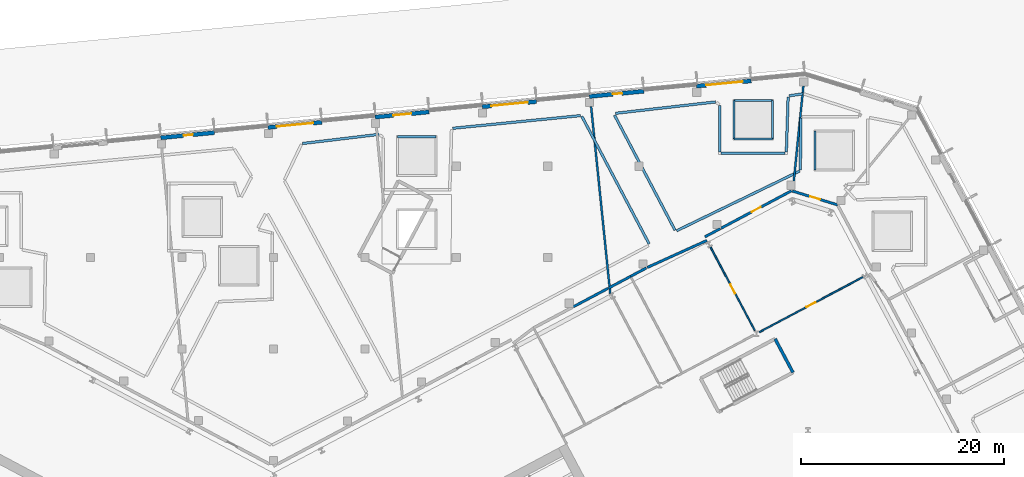
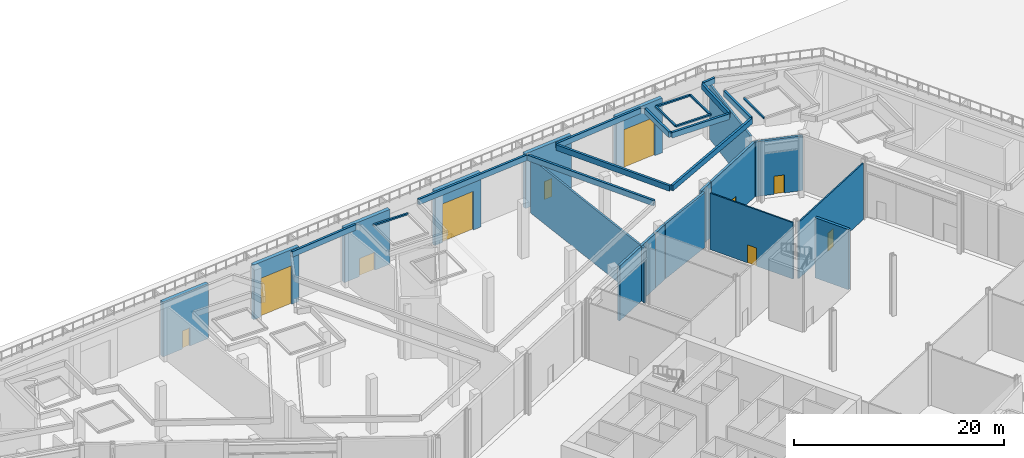
# One storey, part 25 of 57: 35 walls, 10 doors, 10 openings.
"""IFC4 building model written with IfcOpenShell, lengths in metres."""

from ifc_helpers import new_model, si_unit, direction, frame, frame_2d, origin, place, context, subcontext, project, spatial, rectangle, extrude, material, layer, layer_set, type_object, element, fill, save


model = new_model("IFC4")

# Units and contexts
model_context = context("Model", 3, precision=1e-05, world=origin(), true_north=direction((0.0, 1.0)))
body_context = subcontext(model_context, "Body", "Model", "MODEL_VIEW")
ifc_project = project(units=[si_unit("LENGTHUNIT", "METRE"), si_unit("AREAUNIT", "SQUARE_METRE"), si_unit("VOLUMEUNIT", "CUBIC_METRE"), si_unit("PLANEANGLEUNIT", "RADIAN"), si_unit("MASSUNIT", "GRAM", prefix="KILO")], contexts=[model_context])

# Site, building, storey
site_placement = place(None, origin())
site = spatial("IfcSite", under=ifc_project, at=site_placement, CompositionType="ELEMENT")
building_placement = place(site_placement, origin())
building = spatial("IfcBuilding", under=site, at=building_placement, Name="Cormorant Relay Tower", CompositionType="ELEMENT")
storey_placement = place(building_placement, origin())
storey = spatial("IfcBuildingStorey", under=building, at=storey_placement, Name="L00", CompositionType="ELEMENT", Elevation=0.0)

# Wall, opening, door
ifc_material_1 = material(Name="Concrete 40 MPa with granite cladding", Category="masonry")
ifc_layer_1 = layer(ifc_material_1, 0.39990234375)
ifc_layer_set_1 = layer_set([ifc_layer_1], Name="Base facade wall 400")
wall_type_1 = type_object("IfcWallType", Name="Base facade wall 400", PredefinedType="SOLIDWALL", material=ifc_layer_set_1)
wall_1_placement = place(storey_placement, frame((47.025146484375, 62.40087890625, 0.0), z_axis=(0.0, 0.0, 1.0), x_axis=(-0.995386045025, -0.095951140535, 0.0)))
wall_1 = element("IfcWall", 1, at=wall_1_placement, inside=storey, type_object=wall_type_1, Name="Base facade wall", PredefinedType="SOLIDWALL", context=body_context, shape_type="SweptSolid", body=[
    extrude(rectangle(XDim=5.4169921875, YDim=0.39990234375, at=frame_2d((2.70849609375, 0.0))), origin(), (0.0, 0.0, 1.0), 6.3701171875),
])
opening_1_placement = place(wall_1_placement, frame((0.854248046875, 0.0, 0.0)))
opening_1 = element("IfcOpeningElement", 2, at=opening_1_placement, cuts=wall_1, Name="Opening PD8-001", PredefinedType="OPENING", context=body_context, shape_type="SweptSolid", body=[
    extrude(rectangle(XDim=3.60009765625, YDim=4.5, at=frame_2d((1.800048828125, 2.25))), frame((0.0, 0.2099609375, 0.0), z_axis=(0.0, -1.0, 0.0), x_axis=(1.0, 0.0, 0.0)), (0.0, 0.0, 1.0), 0.419921875),
])
ifc_material_2 = material(Name="Galvanised steel roller shutter", Category="steel")
door_type_1 = type_object("IfcDoorType", Name="Door loading shutter 3600", OperationType="SLIDING_TO_LEFT", PredefinedType="DOOR", material=ifc_material_2)
door_1_placement = place(opening_1_placement, origin())
door_1 = element("IfcDoor", 3, at=door_1_placement, inside=storey, type_object=door_type_1, Name="Loading dock door", OperationType="SLIDING_TO_LEFT", OverallHeight=4.5, OverallWidth=3.60009765625, PredefinedType="DOOR", context=body_context, shape_type="SweptSolid", body=[
    extrude(rectangle(XDim=3.60009765625, YDim=4.5, at=frame_2d((1.800048828125, 2.25))), frame((0.0, 0.02490234375, 0.0), z_axis=(0.0, -1.0, 0.0), x_axis=(1.0, 0.0, 0.0)), (0.0, 0.0, 1.0), 0.050048828125),
])
fill(opening_1, door_1)

wall_2_placement = place(storey_placement, frame((36.45751953125, 61.382080078125, 0.0), z_axis=(0.0, 0.0, 1.0), x_axis=(-0.99538901021, -0.095920375068, 0.0)))
wall_2 = element("IfcWall", 4, at=wall_2_placement, inside=storey, type_object=wall_type_1, Name="Base facade wall", PredefinedType="SOLIDWALL", context=body_context, shape_type="SweptSolid", body=[
    extrude(rectangle(XDim=5.390869140625, YDim=0.39990234375, at=frame_2d((2.6953125, 0.0))), origin(), (0.0, 0.0, 1.0), 6.3701171875),
])
opening_2_placement = place(wall_2_placement, frame((2.154052734375, 0.0, 0.0)))
opening_2 = element("IfcOpeningElement", 5, at=opening_2_placement, cuts=wall_2, Name="Opening PD4-005", PredefinedType="OPENING", context=body_context, shape_type="SweptSolid", body=[
    extrude(rectangle(XDim=0.89990234375, YDim=2.10009765625, at=frame_2d((0.449951171875, 1.050048828125))), frame((0.0, 0.2099609375, 0.0), z_axis=(0.0, -1.0, 0.0), x_axis=(1.0, 0.0, 0.0)), (0.0, 0.0, 1.0), 0.419921875),
])
ifc_material_3 = material(Name="Steel door leaf", Category="steel")
door_type_2 = type_object("IfcDoorType", Name="Door service 900", OperationType="SINGLE_SWING_LEFT", PredefinedType="DOOR", material=ifc_material_3)
door_2_placement = place(opening_2_placement, origin())
door_2 = element("IfcDoor", 6, at=door_2_placement, inside=storey, type_object=door_type_2, Name="Service door", OperationType="SINGLE_SWING_RIGHT", OverallHeight=2.10009765625, OverallWidth=0.89990234375, PredefinedType="DOOR", context=body_context, shape_type="SweptSolid", body=[
    extrude(rectangle(XDim=0.89990234375, YDim=2.10009765625, at=frame_2d((0.449951171875, 1.050048828125))), frame((0.0, 0.02490234375, 0.0), z_axis=(0.0, -1.0, 0.0), x_axis=(1.0, 0.0, 0.0)), (0.0, 0.0, 1.0), 0.050048828125),
])
fill(opening_2, door_2)

wall_3_placement = place(storey_placement, frame((25.889892578125, 60.36376953125, 0.0), z_axis=(0.0, 0.0, 1.0), x_axis=(-0.995386401867, -0.095947438618, 0.0)))
wall_3 = element("IfcWall", 7, at=wall_3_placement, inside=storey, type_object=wall_type_1, Name="Base facade wall", PredefinedType="SOLIDWALL", context=body_context, shape_type="SweptSolid", body=[
    extrude(rectangle(XDim=5.36376953125, YDim=0.39990234375, at=frame_2d((2.681884765625, 0.0))), origin(), (0.0, 0.0, 1.0), 6.3701171875),
])
opening_3_placement = place(wall_3_placement, frame((0.854248046875, 0.0, 0.0)))
opening_3 = element("IfcOpeningElement", 8, at=opening_3_placement, cuts=wall_3, Name="Opening PD8-002", PredefinedType="OPENING", context=body_context, shape_type="SweptSolid", body=[
    extrude(rectangle(XDim=3.60009765625, YDim=4.5, at=frame_2d((1.800048828125, 2.25))), frame((0.0, 0.2099609375, 0.0), z_axis=(0.0, -1.0, 0.0), x_axis=(1.0, 0.0, 0.0)), (0.0, 0.0, 1.0), 0.419921875),
])
door_3_placement = place(opening_3_placement, frame((3.60009765625, 0.0, 0.0), z_axis=(0.0, 0.0, 1.0), x_axis=(-1.0, 0.0, 0.0)))
door_3 = element("IfcDoor", 9, at=door_3_placement, inside=storey, type_object=door_type_1, Name="Loading dock door", OperationType="SLIDING_TO_LEFT", OverallHeight=4.5, OverallWidth=3.60009765625, PredefinedType="DOOR", context=body_context, shape_type="SweptSolid", body=[
    extrude(rectangle(XDim=3.60009765625, YDim=4.5, at=frame_2d((1.800048828125, 2.25))), frame((0.0, 0.02490234375, 0.0), z_axis=(0.0, -1.0, 0.0), x_axis=(1.0, 0.0, 0.0)), (0.0, 0.0, 1.0), 0.050048828125),
])
fill(opening_3, door_3)

wall_4_placement = place(storey_placement, frame((15.322265625, 59.34521484375, 0.0), z_axis=(0.0, 0.0, 1.0), x_axis=(-0.995385451448, -0.095957298035, 0.0)))
wall_4 = element("IfcWall", 10, at=wall_4_placement, inside=storey, type_object=wall_type_1, Name="Base facade wall", PredefinedType="SOLIDWALL", context=body_context, shape_type="SweptSolid", body=[
    extrude(rectangle(XDim=5.337890625, YDim=0.39990234375, at=frame_2d((2.6689453125, 0.0))), origin(), (0.0, 0.0, 1.0), 6.3701171875),
])
opening_4_placement = place(wall_4_placement, frame((1.754150390625, 0.0, 0.0)))
opening_4 = element("IfcOpeningElement", 11, at=opening_4_placement, cuts=wall_4, Name="Opening PD3-011", PredefinedType="OPENING", context=body_context, shape_type="SweptSolid", body=[
    extrude(rectangle(XDim=1.800048828125, YDim=2.10009765625, at=frame_2d((0.89990234375, 1.050048828125))), frame((0.0, 0.2099609375, 0.0), z_axis=(0.0, -1.0, 0.0), x_axis=(1.0, 0.0, 0.0)), (0.0, 0.0, 1.0), 0.419921875),
])
ifc_material_4 = material(Name="Steel door leaf", Category="steel")
door_type_3 = type_object("IfcDoorType", Name="Door double 1800", OperationType="DOUBLE_DOOR_SINGLE_SWING", PredefinedType="DOOR", material=ifc_material_4)
door_4_placement = place(opening_4_placement, frame((1.800048828125, 0.0, 0.0), z_axis=(0.0, 0.0, 1.0), x_axis=(-1.0, 0.0, 0.0)))
door_4 = element("IfcDoor", 12, at=door_4_placement, inside=storey, type_object=door_type_3, Name="Exit door", OperationType="DOUBLE_DOOR_SINGLE_SWING", OverallHeight=2.10009765625, OverallWidth=1.800048828125, PredefinedType="DOOR", context=body_context, shape_type="SweptSolid", body=[
    extrude(rectangle(XDim=1.800048828125, YDim=2.10009765625, at=frame_2d((0.89990234375, 1.050048828125))), frame((0.0, 0.02490234375, 0.0), z_axis=(0.0, -1.0, 0.0), x_axis=(1.0, 0.0, 0.0)), (0.0, 0.0, 1.0), 0.050048828125),
])
fill(opening_4, door_4)

wall_5_placement = place(storey_placement, frame((4.754638671875, 58.32666015625, 0.0), z_axis=(0.0, 0.0, 1.0), x_axis=(-0.995386765849, -0.095943662494, 0.0)))
wall_5 = element("IfcWall", 13, at=wall_5_placement, inside=storey, type_object=wall_type_1, Name="Base facade wall", PredefinedType="SOLIDWALL", context=body_context, shape_type="SweptSolid", body=[
    extrude(rectangle(XDim=5.310546875, YDim=0.39990234375, at=frame_2d((2.6552734375, 0.0))), origin(), (0.0, 0.0, 1.0), 6.3701171875),
])
opening_5_placement = place(wall_5_placement, frame((0.85400390625, 0.0, 0.0)))
opening_5 = element("IfcOpeningElement", 14, at=opening_5_placement, cuts=wall_5, Name="Opening PD8-003", PredefinedType="OPENING", context=body_context, shape_type="SweptSolid", body=[
    extrude(rectangle(XDim=3.60009765625, YDim=4.5, at=frame_2d((1.800048828125, 2.25))), frame((0.0, 0.2099609375, 0.0), z_axis=(0.0, -1.0, 0.0), x_axis=(1.0, 0.0, 0.0)), (0.0, 0.0, 1.0), 0.419921875),
])
door_5_placement = place(opening_5_placement, frame((3.60009765625, 0.0, 0.0), z_axis=(0.0, 0.0, 1.0), x_axis=(-1.0, 0.0, 0.0)))
door_5 = element("IfcDoor", 15, at=door_5_placement, inside=storey, type_object=door_type_1, Name="Loading dock door", OperationType="SLIDING_TO_LEFT", OverallHeight=4.5, OverallWidth=3.60009765625, PredefinedType="DOOR", context=body_context, shape_type="SweptSolid", body=[
    extrude(rectangle(XDim=3.60009765625, YDim=4.5, at=frame_2d((1.800048828125, 2.25))), frame((0.0, 0.02490234375, 0.0), z_axis=(0.0, -1.0, 0.0), x_axis=(1.0, 0.0, 0.0)), (0.0, 0.0, 1.0), 0.050048828125),
])
fill(opening_5, door_5)

wall_6_placement = place(storey_placement, frame((-5.81298828125, 57.30810546875, 0.0), z_axis=(0.0, 0.0, 1.0), x_axis=(-0.995386924487, -0.095942016657, 0.0)))
wall_6 = element("IfcWall", 16, at=wall_6_placement, inside=storey, type_object=wall_type_1, Name="Base facade wall", PredefinedType="SOLIDWALL", context=body_context, shape_type="SweptSolid", body=[
    extrude(rectangle(XDim=5.30810546875, YDim=0.39990234375, at=frame_2d((2.654052734375, 0.0))), origin(), (0.0, 0.0, 1.0), 6.3701171875),
])
opening_6_placement = place(wall_6_placement, frame((2.154296875, 0.0, 0.0)))
opening_6 = element("IfcOpeningElement", 17, at=opening_6_placement, cuts=wall_6, Name="Opening PD4-006", PredefinedType="OPENING", context=body_context, shape_type="SweptSolid", body=[
    extrude(rectangle(XDim=0.89990234375, YDim=2.10009765625, at=frame_2d((0.449951171875, 1.050048828125))), frame((0.0, 0.2099609375, 0.0), z_axis=(0.0, -1.0, 0.0), x_axis=(1.0, 0.0, 0.0)), (0.0, 0.0, 1.0), 0.419921875),
])
door_6_placement = place(opening_6_placement, frame((0.89990234375, 0.0, 0.0), z_axis=(0.0, 0.0, 1.0), x_axis=(-1.0, 0.0, 0.0)))
door_6 = element("IfcDoor", 18, at=door_6_placement, inside=storey, type_object=door_type_2, Name="Service door", OperationType="SINGLE_SWING_RIGHT", OverallHeight=2.10009765625, OverallWidth=0.89990234375, PredefinedType="DOOR", context=body_context, shape_type="SweptSolid", body=[
    extrude(rectangle(XDim=0.89990234375, YDim=2.10009765625, at=frame_2d((0.449951171875, 1.050048828125))), frame((0.0, 0.02490234375, 0.0), z_axis=(0.0, -1.0, 0.0), x_axis=(1.0, 0.0, 0.0)), (0.0, 0.0, 1.0), 0.050048828125),
])
fill(opening_6, door_6)

# Walls
ifc_material_5 = material(Name="Concrete 30 MPa upstand", Category="concrete")
ifc_layer_2 = layer(ifc_material_5, 0.199951171875)
ifc_layer_set_2 = layer_set([ifc_layer_2], Name="Deck rooflight kerb 200")
wall_type_2 = type_object("IfcWallType", Name="Deck rooflight kerb 200", PredefinedType="SOLIDWALL", material=ifc_layer_set_2)
for number, where, z_axis, x_axis, name in (
    (19, (53.302978515625, 53.64794921875, 6.919921875), (0.0, 0.0, 1.0), (0.0, 1.0, 0.0), "Rooflight kerb"),
    (20, (49.14599609375, 56.69091796875, 6.919921875), (0.0, 0.0, 1.0), (-1.0, 0.0, 0.0), "Rooflight kerb"),
    (21, (45.345947265625, 56.69091796875, 6.919921875), (0.0, 0.0, 1.0), (0.0, 1.0, 0.0), "Rooflight kerb"),
    (22, (45.345947265625, 60.490966796875, 6.919921875), (0.0, 0.0, 1.0), (1.0, 0.0, 0.0), "Rooflight kerb"),
    (23, (49.14599609375, 60.490966796875, 6.919921875), (0.0, 0.0, 1.0), (0.0, -1.0, 0.0), "Rooflight kerb"),
    (24, (12.2109375, 56.902099609375, 6.919921875), (0.0, 0.0, 1.0), (1.0, 0.0, 0.0), "Rooflight kerb"),
):
    element("IfcWall", number, at=place(storey_placement, frame(where, z_axis=z_axis, x_axis=x_axis)), inside=storey, type_object=wall_type_2, Name=name, PredefinedType="SOLIDWALL", context=body_context, shape_type="SweptSolid", body=[
        extrude(rectangle(XDim=3.800048828125, YDim=0.199951171875, at=frame_2d((1.89990234375, 0.0))), origin(), (0.0, 0.0, 1.0), 0.18017578125),
    ])

# Wall, opening, door
ifc_material_6 = material(Name="Concrete masonry 20 MPa", Category="masonry")
ifc_layer_3 = layer(ifc_material_6, 0.25)
ifc_layer_set_3 = layer_set([ifc_layer_3], Name="Fire separation wall 250")
wall_type_3 = type_object("IfcWallType", Name="Fire separation wall 250", PredefinedType="SOLIDWALL", material=ifc_layer_set_3)
wall_7_placement = place(storey_placement, frame((51.086669921875, 51.555908203125, 0.0), z_axis=(0.0, 0.0, 1.0), x_axis=(0.956310816829, -0.292351879788, 0.0)))
wall_7 = element("IfcWall", 25, at=wall_7_placement, inside=storey, type_object=wall_type_3, Name="Partition", PredefinedType="SOLIDWALL", context=body_context, shape_type="SweptSolid", body=[
    extrude(rectangle(XDim=4.6513671875, YDim=0.25, at=frame_2d((2.32568359375, 0.0))), origin(), (0.0, 0.0, 1.0), 6.3701171875),
])
opening_7_placement = place(wall_7_placement, frame((1.84375, 0.0, 0.0)))
opening_7 = element("IfcOpeningElement", 26, at=opening_7_placement, cuts=wall_7, Name="Opening PD1-062", PredefinedType="OPENING", context=body_context, shape_type="SweptSolid", body=[
    extrude(rectangle(XDim=1.0, YDim=2.10009765625, at=frame_2d((0.5, 1.050048828125))), frame((0.0, 0.135009765625, 0.0), z_axis=(0.0, -1.0, 0.0), x_axis=(1.0, 0.0, 0.0)), (0.0, 0.0, 1.0), 0.27001953125),
])
ifc_material_7 = material(Name="Steel door leaf", Category="steel")
door_type_4 = type_object("IfcDoorType", Name="Door single 1000", OperationType="SINGLE_SWING_LEFT", PredefinedType="DOOR", material=ifc_material_7)
door_7_placement = place(opening_7_placement, origin())
door_7 = element("IfcDoor", 27, at=door_7_placement, inside=storey, type_object=door_type_4, Name="Door", OperationType="SINGLE_SWING_LEFT", OverallHeight=2.10009765625, OverallWidth=1.0, PredefinedType="DOOR", context=body_context, shape_type="SweptSolid", body=[
    extrude(rectangle(XDim=1.0, YDim=2.10009765625, at=frame_2d((0.5, 1.050048828125))), frame((0.0, 0.02490234375, 0.0), z_axis=(0.0, -1.0, 0.0), x_axis=(1.0, 0.0, 0.0)), (0.0, 0.0, 1.0), 0.050048828125),
])
fill(opening_7, door_7)

# Walls
wall_8_placement = place(storey_placement, frame((32.988525390625, 42.00390625, 0.0), z_axis=(0.0, 0.0, 1.0), x_axis=(0.882961044449, 0.46944626315, 0.0)))
element("IfcWall", 28, at=wall_8_placement, inside=storey, type_object=wall_type_3, Name="Partition", PredefinedType="SOLIDWALL", context=body_context, shape_type="SweptSolid", body=[
    extrude(rectangle(XDim=2.453125, YDim=0.25, at=frame_2d((1.2265625, 0.0))), origin(), (0.0, 0.0, 1.0), 6.3701171875),
])
wall_9_placement = place(storey_placement, frame((35.154541015625, 43.155517578125, 0.0), z_axis=(0.0, 0.0, 1.0), x_axis=(0.882941057782, 0.469483853272, 0.0)))
element("IfcWall", 29, at=wall_9_placement, inside=storey, type_object=wall_type_3, Name="Partition", PredefinedType="SOLIDWALL", context=body_context, shape_type="SweptSolid", body=[
    extrude(rectangle(XDim=1.756103515625, YDim=0.25, at=frame_2d((0.8779296875, 0.0))), origin(), (0.0, 0.0, 1.0), 6.3701171875),
])
wall_10_placement = place(storey_placement, frame((36.79296875, 44.026611328125, 0.0), z_axis=(0.0, 0.0, 1.0), x_axis=(0.910758391685, 0.412939646892, 0.0)))
element("IfcWall", 30, at=wall_10_placement, inside=storey, type_object=wall_type_3, Name="Partition", PredefinedType="SOLIDWALL", context=body_context, shape_type="SweptSolid", body=[
    extrude(rectangle(XDim=6.457275390625, YDim=0.25, at=frame_2d((3.228515625, 0.0))), origin(), (0.0, 0.0, 1.0), 6.3701171875),
])
wall_11_placement = place(storey_placement, frame((42.483154296875, 47.05224609375, 0.0), z_axis=(0.0, 0.0, 1.0), x_axis=(0.882940813988, 0.469484311766, 0.0)))
element("IfcWall", 31, at=wall_11_placement, inside=storey, type_object=wall_type_3, Name="Partition", PredefinedType="SOLIDWALL", context=body_context, shape_type="SweptSolid", body=[
    extrude(rectangle(XDim=1.699462890625, YDim=0.25, at=frame_2d((0.849609375, 0.0))), origin(), (0.0, 0.0, 1.0), 6.3701171875),
])

# Wall, opening, door
wall_12_placement = place(storey_placement, frame((44.072021484375, 47.89697265625, 0.0), z_axis=(0.0, 0.0, 1.0), x_axis=(0.882948932855, 0.469469042612, 0.0)))
wall_12 = element("IfcWall", 32, at=wall_12_placement, inside=storey, type_object=wall_type_3, Name="Partition", PredefinedType="SOLIDWALL", context=body_context, shape_type="SweptSolid", body=[
    extrude(rectangle(XDim=7.848876953125, YDim=0.25, at=frame_2d((3.92431640625, 0.0))), origin(), (0.0, 0.0, 1.0), 6.3701171875),
])
opening_8_placement = place(wall_12_placement, frame((3.424072265625, 0.0, 0.0)))
opening_8 = element("IfcOpeningElement", 33, at=opening_8_placement, cuts=wall_12, Name="Opening PD1-063", PredefinedType="OPENING", context=body_context, shape_type="SweptSolid", body=[
    extrude(rectangle(XDim=1.0, YDim=2.10009765625, at=frame_2d((0.5, 1.050048828125))), frame((0.0, 0.135009765625, 0.0), z_axis=(0.0, -1.0, 0.0), x_axis=(1.0, 0.0, 0.0)), (0.0, 0.0, 1.0), 0.27001953125),
])
door_8_placement = place(opening_8_placement, origin())
door_8 = element("IfcDoor", 34, at=door_8_placement, inside=storey, type_object=door_type_4, Name="Door", OperationType="SINGLE_SWING_LEFT", OverallHeight=2.10009765625, OverallWidth=1.0, PredefinedType="DOOR", context=body_context, shape_type="SweptSolid", body=[
    extrude(rectangle(XDim=1.0, YDim=2.10009765625, at=frame_2d((0.5, 1.050048828125))), frame((0.0, 0.02490234375, 0.0), z_axis=(0.0, -1.0, 0.0), x_axis=(1.0, 0.0, 0.0)), (0.0, 0.0, 1.0), 0.050048828125),
])
fill(opening_8, door_8)

# Wall
wall_13_placement = place(storey_placement, frame((29.513916015625, 40.156494140625, 0.0), z_axis=(0.0, 0.0, 1.0), x_axis=(0.882952549127, 0.469462241283, 0.0)))
element("IfcWall", 35, at=wall_13_placement, inside=storey, type_object=wall_type_3, Name="Partition", PredefinedType="SOLIDWALL", context=body_context, shape_type="SweptSolid", body=[
    extrude(rectangle(XDim=3.89501953125, YDim=0.25, at=frame_2d((1.947509765625, 0.0))), origin(), (0.0, 0.0, 1.0), 6.3701171875),
])

# Wall, opening, door
ifc_material_8 = material(Name="Gypsum board on steel stud", Category="steel")
ifc_layer_4 = layer(ifc_material_8, 0.14990234375)
ifc_layer_set_4 = layer_set([ifc_layer_4], Name="Partition 150")
wall_type_4 = type_object("IfcWallType", Name="Partition 150", PredefinedType="PARTITIONING", material=ifc_layer_set_4)
wall_14_placement = place(storey_placement, frame((58.045654296875, 43.09521484375, 0.0), z_axis=(0.0, 0.0, 1.0), x_axis=(-0.882944872937, -0.469476678179, 0.0)))
wall_14 = element("IfcWall", 36, at=wall_14_placement, inside=storey, type_object=wall_type_4, Name="Partition", PredefinedType="PARTITIONING", context=body_context, shape_type="SweptSolid", body=[
    extrude(rectangle(XDim=11.586181640625, YDim=0.14990234375, at=frame_2d((5.79296875, 0.0))), origin(), (0.0, 0.0, 1.0), 6.550048828125),
])
opening_9_placement = place(wall_14_placement, frame((5.313720703125, 0.0, 0.0)))
opening_9 = element("IfcOpeningElement", 37, at=opening_9_placement, cuts=wall_14, Name="Opening PD1-080", PredefinedType="OPENING", context=body_context, shape_type="SweptSolid", body=[
    extrude(rectangle(XDim=1.0, YDim=2.10009765625, at=frame_2d((0.5, 1.050048828125))), frame((0.0, 0.0849609375, 0.0), z_axis=(0.0, -1.0, 0.0), x_axis=(1.0, 0.0, 0.0)), (0.0, 0.0, 1.0), 0.169921875),
])
door_9_placement = place(opening_9_placement, frame((1.0, 0.0, 0.0), z_axis=(0.0, 0.0, 1.0), x_axis=(-1.0, 0.0, 0.0)))
door_9 = element("IfcDoor", 38, at=door_9_placement, inside=storey, type_object=door_type_4, Name="Door", OperationType="SINGLE_SWING_LEFT", OverallHeight=2.10009765625, OverallWidth=1.0, PredefinedType="DOOR", context=body_context, shape_type="SweptSolid", body=[
    extrude(rectangle(XDim=1.0, YDim=2.10009765625, at=frame_2d((0.5, 1.050048828125))), frame((0.0, 0.02490234375, 0.0), z_axis=(0.0, -1.0, 0.0), x_axis=(1.0, 0.0, 0.0)), (0.0, 0.0, 1.0), 0.050048828125),
])
fill(opening_9, door_9)

wall_15_placement = place(storey_placement, frame((47.385498046875, 37.832275390625, 0.0), z_axis=(0.0, 0.0, 1.0), x_axis=(-0.469472297485, 0.882947202212, 0.0)))
wall_15 = element("IfcWall", 39, at=wall_15_placement, inside=storey, type_object=wall_type_4, Name="Partition", PredefinedType="PARTITIONING", context=body_context, shape_type="SweptSolid", body=[
    extrude(rectangle(XDim=9.32568359375, YDim=0.14990234375, at=frame_2d((4.662841796875, 0.0))), origin(), (0.0, 0.0, 1.0), 6.550048828125),
])
opening_10_placement = place(wall_15_placement, frame((4.11181640625, 0.0, 0.0)))
opening_10 = element("IfcOpeningElement", 40, at=opening_10_placement, cuts=wall_15, Name="Opening PD1-078", PredefinedType="OPENING", context=body_context, shape_type="SweptSolid", body=[
    extrude(rectangle(XDim=1.0, YDim=2.10009765625, at=frame_2d((0.5, 1.050048828125))), frame((0.0, 0.0849609375, 0.0), z_axis=(0.0, -1.0, 0.0), x_axis=(1.0, 0.0, 0.0)), (0.0, 0.0, 1.0), 0.169921875),
])
door_10_placement = place(opening_10_placement, origin())
door_10 = element("IfcDoor", 41, at=door_10_placement, inside=storey, type_object=door_type_4, Name="Door", OperationType="SINGLE_SWING_LEFT", OverallHeight=2.10009765625, OverallWidth=1.0, PredefinedType="DOOR", context=body_context, shape_type="SweptSolid", body=[
    extrude(rectangle(XDim=1.0, YDim=2.10009765625, at=frame_2d((0.5, 1.050048828125))), frame((0.0, 0.02490234375, 0.0), z_axis=(0.0, -1.0, 0.0), x_axis=(1.0, 0.0, 0.0)), (0.0, 0.0, 1.0), 0.050048828125),
])
fill(opening_10, door_10)

# Walls
ifc_material_9 = material(Name="Concrete masonry 20 MPa", Category="masonry")
ifc_layer_5 = layer(ifc_material_9, 0.199951171875)
ifc_layer_set_5 = layer_set([ifc_layer_5], Name="Plant room wall 200")
wall_type_5 = type_object("IfcWallType", Name="Plant room wall 200", PredefinedType="PARTITIONING", material=ifc_layer_set_5)
wall_16_placement = place(storey_placement, frame((52.167724609375, 61.89794921875, 0.0), z_axis=(0.0, 0.0, 1.0), x_axis=(-0.100124403506, -0.994974926228, 0.0)))
element("IfcWall", 42, at=wall_16_placement, inside=storey, type_object=wall_type_5, Name="Partition", PredefinedType="PARTITIONING", context=body_context, shape_type="SweptSolid", body=[
    extrude(rectangle(XDim=9.42431640625, YDim=0.199951171875, at=frame_2d((4.712158203125, 0.0))), origin(), (0.0, 0.0, 1.0), 6.3701171875),
])
wall_17_placement = place(storey_placement, frame((31.270751953125, 59.865966796875, 0.0), z_axis=(0.0, 0.0, 1.0), x_axis=(0.10182537806, -0.994802288087, 0.0)))
element("IfcWall", 43, at=wall_17_placement, inside=storey, type_object=wall_type_5, Name="Partition", PredefinedType="PARTITIONING", context=body_context, shape_type="SweptSolid", body=[
    extrude(rectangle(XDim=18.509765625, YDim=0.199951171875, at=frame_2d((9.2548828125, 0.0))), origin(), (0.0, 0.0, 1.0), 6.3701171875),
])
ifc_material_10 = material(Name="Concrete 40 MPa", Category="concrete")
ifc_layer_6 = layer(ifc_material_10, 0.25)
ifc_layer_set_6 = layer_set([ifc_layer_6], Name="Planter kerb 250")
wall_type_6 = type_object("IfcWallType", Name="Planter kerb 250", PredefinedType="STANDARD", material=ifc_layer_set_6)
wall_18_placement = place(storey_placement, frame((2.85498046875, 56.233642578125, 7.0), z_axis=(0.0, 0.0, 1.0), x_axis=(0.992929675545, 0.118704083423, 0.0)))
element("IfcWall", 44, at=wall_18_placement, inside=storey, type_object=wall_type_6, Name="PLANTER 10 kerb", PredefinedType="STANDARD", context=body_context, shape_type="SweptSolid", body=[
    extrude(rectangle(XDim=7.57275390625, YDim=0.25, at=frame_2d((3.786376953125, 0.0))), origin(), (0.0, 0.0, 1.0), 0.64990234375),
])
wall_19_placement = place(storey_placement, frame((17.645751953125, 57.732421875, 7.0), z_axis=(0.0, 0.0, 1.0), x_axis=(0.9951157931, 0.098714529444, 0.0)))
element("IfcWall", 45, at=wall_19_placement, inside=storey, type_object=wall_type_6, Name="PLANTER 10 kerb", PredefinedType="STANDARD", context=body_context, shape_type="SweptSolid", body=[
    extrude(rectangle(XDim=12.650390625, YDim=0.25, at=frame_2d((6.3251953125, 0.0))), origin(), (0.0, 0.0, 1.0), 0.64990234375),
])
wall_20_placement = place(storey_placement, frame((30.357421875, 58.915283203125, 7.0), z_axis=(0.0, 0.0, 1.0), x_axis=(0.466457319903, -0.8845437065, 0.0)))
element("IfcWall", 46, at=wall_20_placement, inside=storey, type_object=wall_type_6, Name="PLANTER 10 kerb", PredefinedType="STANDARD", context=body_context, shape_type="SweptSolid", body=[
    extrude(rectangle(XDim=14.2080078125, YDim=0.25, at=frame_2d((7.10400390625, 0.0))), origin(), (0.0, 0.0, 1.0), 0.64990234375),
])
wall_21_placement = place(storey_placement, frame((51.808349609375, 53.522705078125, 7.0), z_axis=(0.0, 0.0, 1.0), x_axis=(-0.89970966322, -0.436488856569, 0.0)))
element("IfcWall", 47, at=wall_21_placement, inside=storey, type_object=wall_type_6, Name="PLANTER 13 kerb", PredefinedType="STANDARD", context=body_context, shape_type="SweptSolid", body=[
    extrude(rectangle(XDim=13.4619140625, YDim=0.25, at=frame_2d((6.73095703125, 0.0))), origin(), (0.0, 0.0, 1.0), 0.64990234375),
])
wall_22_placement = place(storey_placement, frame((39.531982421875, 47.701416015625, 7.0), z_axis=(0.0, 0.0, 1.0), x_axis=(-0.465482185558, 0.88505724952, 0.0)))
element("IfcWall", 48, at=wall_22_placement, inside=storey, type_object=wall_type_6, Name="PLANTER 13 kerb", PredefinedType="STANDARD", context=body_context, shape_type="SweptSolid", body=[
    extrude(rectangle(XDim=12.79541015625, YDim=0.25, at=frame_2d((6.397705078125, 0.0))), origin(), (0.0, 0.0, 1.0), 0.64990234375),
])
wall_23_placement = place(storey_placement, frame((33.672607421875, 59.20849609375, 7.0), z_axis=(0.0, 0.0, 1.0), x_axis=(0.993598399312, 0.112969999932, 0.0)))
element("IfcWall", 49, at=wall_23_placement, inside=storey, type_object=wall_type_6, Name="PLANTER 13 kerb", PredefinedType="STANDARD", context=body_context, shape_type="SweptSolid", body=[
    extrude(rectangle(XDim=9.900146484375, YDim=0.25, at=frame_2d((4.9501953125, 0.0))), origin(), (0.0, 0.0, 1.0), 0.64990234375),
])
wall_24_placement = place(storey_placement, frame((43.921630859375, 59.955322265625, 7.0), z_axis=(0.0, 0.0, 1.0), x_axis=(0.004999399945, -0.999987502922, 0.0)))
element("IfcWall", 50, at=wall_24_placement, inside=storey, type_object=wall_type_6, Name="PLANTER 13 kerb", PredefinedType="STANDARD", context=body_context, shape_type="SweptSolid", body=[
    extrude(rectangle(XDim=4.54150390625, YDim=0.25, at=frame_2d((2.270751953125, 0.0))), origin(), (0.0, 0.0, 1.0), 0.64990234375),
])
wall_25_placement = place(storey_placement, frame((44.06591796875, 55.289306640625, 7.0), z_axis=(0.0, 0.0, 1.0), x_axis=(0.999993223506, -0.003681432135, 0.0)))
element("IfcWall", 51, at=wall_25_placement, inside=storey, type_object=wall_type_6, Name="PLANTER 13 kerb", PredefinedType="STANDARD", context=body_context, shape_type="SweptSolid", body=[
    extrude(rectangle(XDim=6.300048828125, YDim=0.25, at=frame_2d((3.14990234375, 0.0))), origin(), (0.0, 0.0, 1.0), 0.64990234375),
])
wall_26_placement = place(storey_placement, frame((50.491455078125, 55.386962890625, 7.0), z_axis=(0.0, 0.0, 1.0), x_axis=(0.032503507659, 0.999471621403, 0.0)))
element("IfcWall", 52, at=wall_26_placement, inside=storey, type_object=wall_type_6, Name="PLANTER 13 kerb", PredefinedType="STANDARD", context=body_context, shape_type="SweptSolid", body=[
    extrude(rectangle(XDim=5.4306640625, YDim=0.25, at=frame_2d((2.71533203125, 0.0))), origin(), (0.0, 0.0, 1.0), 0.64990234375),
])
wall_27_placement = place(storey_placement, frame((50.775390625, 60.934326171875, 7.0), z_axis=(0.0, 0.0, 1.0), x_axis=(0.990122021984, 0.140208350613, 0.0)))
element("IfcWall", 53, at=wall_27_placement, inside=storey, type_object=wall_type_6, Name="PLANTER 13 kerb", PredefinedType="STANDARD", context=body_context, shape_type="SweptSolid", body=[
    extrude(rectangle(XDim=1.380859375, YDim=0.25, at=frame_2d((0.6904296875, 0.0))), origin(), (0.0, 0.0, 1.0), 0.64990234375),
])
wall_28_placement = place(storey_placement, frame((51.9013671875, 58.726806640625, 7.0), z_axis=(0.0, 0.0, 1.0), x_axis=(-0.004458890324, -0.999990059099, 0.0)))
element("IfcWall", 54, at=wall_28_placement, inside=storey, type_object=wall_type_6, Name="PLANTER 13 kerb", PredefinedType="STANDARD", context=body_context, shape_type="SweptSolid", body=[
    extrude(rectangle(XDim=5.092041015625, YDim=0.25, at=frame_2d((2.5458984375, 0.0))), origin(), (0.0, 0.0, 1.0), 0.64990234375),
])
ifc_material_11 = material(Name="Concrete 50 MPa", Category="concrete")
ifc_layer_7 = layer(ifc_material_11, 0.300048828125)
ifc_layer_set_7 = layer_set([ifc_layer_7], Name="Remote stair wall 300")
wall_type_7 = type_object("IfcWallType", Name="Remote stair wall 300", PredefinedType="SHEAR", material=ifc_layer_set_7)
wall_29_placement = place(storey_placement, frame((49.384033203125, 37.00390625, 0.0), z_axis=(0.0, 0.0, 1.0), x_axis=(0.46946936446, -0.882948761726, 0.0)))
element("IfcWall", 55, at=wall_29_placement, inside=storey, type_object=wall_type_7, Name="L00 exit stair RB1 wall", PredefinedType="SHEAR", context=body_context, shape_type="SweptSolid", body=[
    extrude(rectangle(XDim=3.75, YDim=0.300048828125, at=frame_2d((1.875, 0.0))), origin(), (0.0, 0.0, 1.0), 7.0),
])

save(model, "model.ifc")
